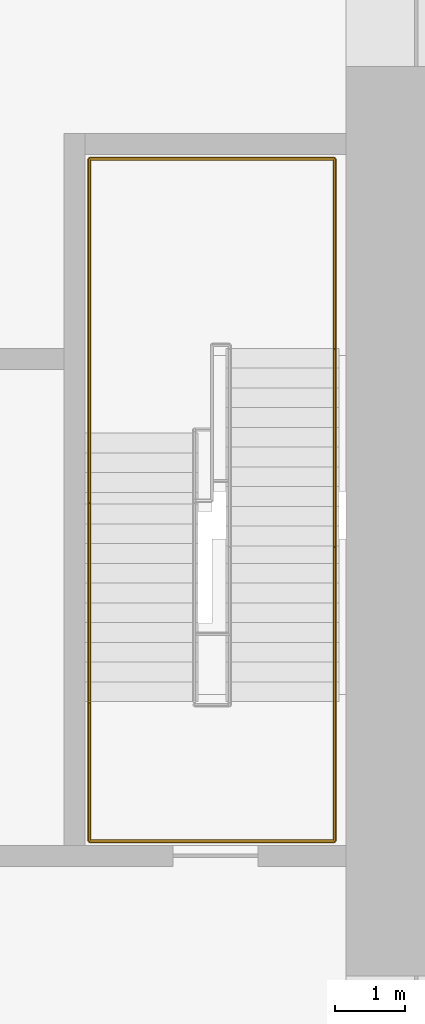
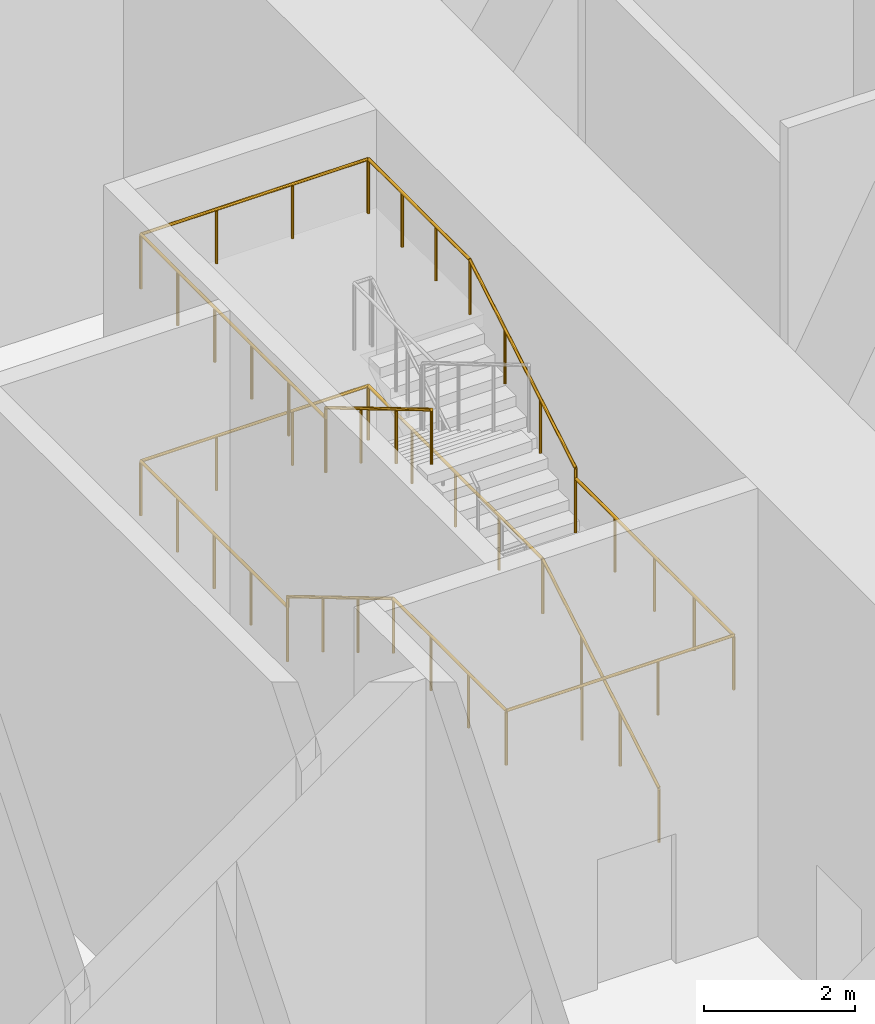
# One storey, part 16 of 16: 1 railing.
"""IFC4 building model written with IfcOpenShell, lengths in metres."""

from ifc_helpers import new_model, si_unit, direction, frame, origin, origin_2d, place, context, subcontext, project, spatial, circle, extrude, material, type_object, element, save


model = new_model("IFC4")

# Units and contexts
model_context = context("Model", 3, precision=1e-05, world=origin(), true_north=direction((0.0, 1.0)))
body_context = subcontext(model_context, "Body", "Model", "MODEL_VIEW")
ifc_project = project(units=[si_unit("LENGTHUNIT", "METRE"), si_unit("AREAUNIT", "SQUARE_METRE"), si_unit("VOLUMEUNIT", "CUBIC_METRE"), si_unit("PLANEANGLEUNIT", "RADIAN"), si_unit("MASSUNIT", "GRAM", prefix="KILO")], contexts=[model_context])

# Site, building, storey
site_placement = place(None, origin())
site = spatial("IfcSite", under=ifc_project, at=site_placement, CompositionType="ELEMENT")
building_placement = place(site_placement, origin())
building = spatial("IfcBuilding", under=site, at=building_placement, Name="Khuree Lantern Residences", CompositionType="ELEMENT")
storey_placement = place(building_placement, frame((0.0, 0.0, 192.0)))
storey = spatial("IfcBuildingStorey", under=building, at=storey_placement, Name="L48", CompositionType="ELEMENT", Elevation=192.0)

# Railing
ifc_material = material(Name="Steel S355", Category="steel")
railing_type = type_object("IfcRailingType", Name="STAIR HANDRAIL H1 900", PredefinedType="HANDRAIL", material=ifc_material)
railing_placement = place(storey_placement, frame((14.340087890625, -2.860107421875, 0.166748046875)))
element("IfcRailing", 1, at=railing_placement, inside=storey, type_object=railing_type, Name="Stair ST2 handrail", PredefinedType="HANDRAIL", context=body_context, shape_type="SweptSolid", body=[
    extrude(circle(Radius=0.02392578125, at=origin_2d()), frame((0.0, 0.0, 0.8759765625), z_axis=(0.0, 0.859308565015, 0.511457515432), x_axis=(-1.0, 0.0, 0.0)), (0.0, 0.0, 1.0), 3.58447265625),
    extrude(circle(Radius=0.02392578125, at=origin_2d()), frame((0.0, 3.080078125, 2.708984375), z_axis=(0.0, 1.0, 0.0), x_axis=(-1.0, 0.0, 0.0)), (0.0, 0.0, 1.0), 4.6201171875),
    extrude(circle(Radius=0.02392578125, at=origin_2d()), frame((0.0, 7.7001953125, 2.708984375), z_axis=(-1.0, 0.0, 0.0), x_axis=(0.0, -1.0, 0.0)), (0.0, 0.0, 1.0), 3.47998046875),
    extrude(circle(Radius=0.02392578125, at=origin_2d()), frame((-3.47998046875, 7.7001953125, 2.708984375), z_axis=(0.0, -1.0, 0.0), x_axis=(1.0, 0.0, 0.0)), (0.0, 0.0, 1.0), 3.89013671875),
    extrude(circle(Radius=0.02392578125, at=origin_2d()), frame((-3.47998046875, 3.81005859375, 2.708984375), z_axis=(0.0, 0.0, 1.0), x_axis=(1.0, 0.0, 0.0)), (0.0, 0.0, 1.0), 0.166748046875),
    extrude(circle(Radius=0.02392578125, at=origin_2d()), frame((-3.47998046875, 3.81005859375, 2.8759765625), z_axis=(0.0, -0.859318757487, 0.511440390497), x_axis=(1.0, 0.0, 0.0)), (0.0, 0.0, 1.0), 3.258544921875),
    extrude(circle(Radius=0.02392578125, at=origin_2d()), frame((-3.47998046875, 1.010009765625, 4.54248046875), z_axis=(0.0, -1.0, 0.0), x_axis=(1.0, 0.0, 0.0)), (0.0, 0.0, 1.0), 2.989990234375),
    extrude(circle(Radius=0.02392578125, at=origin_2d()), frame((-3.47998046875, -1.97998046875, 4.54248046875), z_axis=(1.0, 0.0, 0.0), x_axis=(0.0, 1.0, 0.0)), (0.0, 0.0, 1.0), 3.47998046875),
    extrude(circle(Radius=0.02392578125, at=origin_2d()), frame((0.0, -1.97998046875, 4.54248046875), z_axis=(0.0, 1.0, 0.0), x_axis=(-1.0, 0.0, 0.0)), (0.0, 0.0, 1.0), 4.190185546875),
    extrude(circle(Radius=0.02392578125, at=origin_2d()), frame((0.0, 2.210205078125, 4.54248046875), z_axis=(0.0, 0.0, 1.0), x_axis=(1.0, 0.0, 0.0)), (0.0, 0.0, 1.0), 0.166748046875),
    extrude(circle(Radius=0.02392578125, at=origin_2d()), frame((0.0, 2.210205078125, 4.708984375), z_axis=(0.0, 0.859266224305, 0.511528646088), x_axis=(-1.0, 0.0, 0.0)), (0.0, 0.0, 1.0), 3.25830078125),
    extrude(circle(Radius=0.02392578125, at=origin_2d()), frame((0.0, 5.010009765625, 6.3759765625), z_axis=(0.0, 1.0, 0.0), x_axis=(-1.0, 0.0, 0.0)), (0.0, 0.0, 1.0), 2.690185546875),
    extrude(circle(Radius=0.02392578125, at=origin_2d()), frame((0.0, 7.7001953125, 6.3759765625), z_axis=(-1.0, 0.0, 0.0), x_axis=(0.0, -1.0, 0.0)), (0.0, 0.0, 1.0), 3.47998046875),
    extrude(circle(Radius=0.02392578125, at=origin_2d()), frame((-3.47998046875, 7.7001953125, 6.3759765625), z_axis=(0.0, -1.0, 0.0), x_axis=(1.0, 0.0, 0.0)), (0.0, 0.0, 1.0), 4.900146484375),
    extrude(circle(Radius=0.02392578125, at=origin_2d()), frame((-3.47998046875, 2.800048828125, 6.3759765625), z_axis=(0.0, 0.0, 1.0), x_axis=(1.0, 0.0, 0.0)), (0.0, 0.0, 1.0), 0.16650390625),
    extrude(circle(Radius=0.02392578125, at=origin_2d()), frame((-3.47998046875, 2.800048828125, 6.54248046875), z_axis=(0.0, -0.859285828005, 0.511495714342), x_axis=(1.0, 0.0, 0.0)), (0.0, 0.0, 1.0), 3.258544921875),
    extrude(circle(Radius=0.02099609375, at=origin_2d()), origin(), (0.0, 0.0, 1.0), 0.851806640625),
    extrude(circle(Radius=0.02099609375, at=origin_2d()), frame((0.0, 1.026611328125, 0.611083984375)), (0.0, 0.0, 1.0), 0.851806640625),
    extrude(circle(Radius=0.02099609375, at=origin_2d()), frame((0.0, 2.053466796875, 1.22216796875)), (0.0, 0.0, 1.0), 0.851806640625),
    extrude(circle(Radius=0.02099609375, at=origin_2d()), frame((0.0, 3.080078125, 1.833251953125)), (0.0, 0.0, 1.0), 0.851806640625),
    extrude(circle(Radius=0.02099609375, at=origin_2d()), frame((0.0, 4.235107421875, 1.833251953125)), (0.0, 0.0, 1.0), 0.851806640625),
    extrude(circle(Radius=0.02099609375, at=origin_2d()), frame((0.0, 5.39013671875, 1.833251953125)), (0.0, 0.0, 1.0), 0.851806640625),
    extrude(circle(Radius=0.02099609375, at=origin_2d()), frame((0.0, 6.545166015625, 1.833251953125)), (0.0, 0.0, 1.0), 0.851806640625),
    extrude(circle(Radius=0.02099609375, at=origin_2d()), frame((0.0, 7.7001953125, 1.833251953125)), (0.0, 0.0, 1.0), 0.851806640625),
    extrude(circle(Radius=0.02099609375, at=origin_2d()), frame((-1.159912109375, 7.7001953125, 1.833251953125)), (0.0, 0.0, 1.0), 0.851806640625),
    extrude(circle(Radius=0.02099609375, at=origin_2d()), frame((-2.320068359375, 7.7001953125, 1.833251953125)), (0.0, 0.0, 1.0), 0.851806640625),
    extrude(circle(Radius=0.02099609375, at=origin_2d()), frame((-3.47998046875, 7.7001953125, 1.833251953125)), (0.0, 0.0, 1.0), 0.851806640625),
    extrude(circle(Radius=0.02099609375, at=origin_2d()), frame((-3.47998046875, 6.7275390625, 1.833251953125)), (0.0, 0.0, 1.0), 0.851806640625),
    extrude(circle(Radius=0.02099609375, at=origin_2d()), frame((-3.47998046875, 5.755126953125, 1.833251953125)), (0.0, 0.0, 1.0), 0.851806640625),
    extrude(circle(Radius=0.02099609375, at=origin_2d()), frame((-3.47998046875, 4.78271484375, 1.833251953125)), (0.0, 0.0, 1.0), 0.851806640625),
    extrude(circle(Radius=0.02099609375, at=origin_2d()), frame((-3.47998046875, 3.81005859375, 1.833251953125)), (0.0, 0.0, 1.0), 0.851806640625),
    extrude(circle(Radius=0.02099609375, at=origin_2d()), frame((-3.47998046875, 3.81005859375, 2.0)), (0.0, 0.0, 1.0), 0.851806640625),
    extrude(circle(Radius=0.02099609375, at=origin_2d()), frame((-3.47998046875, 2.876708984375, 2.555419921875)), (0.0, 0.0, 1.0), 0.851806640625),
    extrude(circle(Radius=0.02099609375, at=origin_2d()), frame((-3.47998046875, 1.943359375, 3.111083984375)), (0.0, 0.0, 1.0), 0.851806640625),
    extrude(circle(Radius=0.02099609375, at=origin_2d()), frame((-3.47998046875, 1.010009765625, 3.66650390625)), (0.0, 0.0, 1.0), 0.851806640625),
    extrude(circle(Radius=0.02099609375, at=origin_2d()), frame((-3.47998046875, 0.013427734375, 3.66650390625)), (0.0, 0.0, 1.0), 0.851806640625),
    extrude(circle(Radius=0.02099609375, at=origin_2d()), frame((-3.47998046875, -0.9833984375, 3.66650390625)), (0.0, 0.0, 1.0), 0.851806640625),
    extrude(circle(Radius=0.02099609375, at=origin_2d()), frame((-3.47998046875, -1.97998046875, 3.66650390625)), (0.0, 0.0, 1.0), 0.851806640625),
    extrude(circle(Radius=0.02099609375, at=origin_2d()), frame((-2.320068359375, -1.97998046875, 3.66650390625)), (0.0, 0.0, 1.0), 0.851806640625),
    extrude(circle(Radius=0.02099609375, at=origin_2d()), frame((-1.159912109375, -1.97998046875, 3.66650390625)), (0.0, 0.0, 1.0), 0.851806640625),
    extrude(circle(Radius=0.02099609375, at=origin_2d()), frame((0.0, -1.97998046875, 3.66650390625)), (0.0, 0.0, 1.0), 0.851806640625),
    extrude(circle(Radius=0.02099609375, at=origin_2d()), frame((0.0, -0.932373046875, 3.66650390625)), (0.0, 0.0, 1.0), 0.851806640625),
    extrude(circle(Radius=0.02099609375, at=origin_2d()), frame((0.0, 0.115234375, 3.66650390625)), (0.0, 0.0, 1.0), 0.851806640625),
    extrude(circle(Radius=0.02099609375, at=origin_2d()), frame((0.0, 1.16259765625, 3.66650390625)), (0.0, 0.0, 1.0), 0.851806640625),
    extrude(circle(Radius=0.02099609375, at=origin_2d()), frame((0.0, 2.210205078125, 3.66650390625)), (0.0, 0.0, 1.0), 0.851806640625),
    extrude(circle(Radius=0.02099609375, at=origin_2d()), frame((0.0, 2.210205078125, 3.833251953125)), (0.0, 0.0, 1.0), 0.851806640625),
    extrude(circle(Radius=0.02099609375, at=origin_2d()), frame((0.0, 3.1435546875, 4.388916015625)), (0.0, 0.0, 1.0), 0.851806640625),
    extrude(circle(Radius=0.02099609375, at=origin_2d()), frame((0.0, 4.07666015625, 4.9443359375)), (0.0, 0.0, 1.0), 0.851806640625),
    extrude(circle(Radius=0.02099609375, at=origin_2d()), frame((0.0, 5.010009765625, 5.5)), (0.0, 0.0, 1.0), 0.851806640625),
    extrude(circle(Radius=0.02099609375, at=origin_2d()), frame((0.0, 5.90673828125, 5.5)), (0.0, 0.0, 1.0), 0.851806640625),
    extrude(circle(Radius=0.02099609375, at=origin_2d()), frame((0.0, 6.803466796875, 5.5)), (0.0, 0.0, 1.0), 0.851806640625),
    extrude(circle(Radius=0.02099609375, at=origin_2d()), frame((0.0, 7.7001953125, 5.5)), (0.0, 0.0, 1.0), 0.851806640625),
    extrude(circle(Radius=0.02099609375, at=origin_2d()), frame((-1.159912109375, 7.7001953125, 5.5)), (0.0, 0.0, 1.0), 0.851806640625),
    extrude(circle(Radius=0.02099609375, at=origin_2d()), frame((-2.320068359375, 7.7001953125, 5.5)), (0.0, 0.0, 1.0), 0.851806640625),
    extrude(circle(Radius=0.02099609375, at=origin_2d()), frame((-3.47998046875, 7.7001953125, 5.5)), (0.0, 0.0, 1.0), 0.851806640625),
    extrude(circle(Radius=0.02099609375, at=origin_2d()), frame((-3.47998046875, 6.72021484375, 5.5)), (0.0, 0.0, 1.0), 0.851806640625),
    extrude(circle(Radius=0.02099609375, at=origin_2d()), frame((-3.47998046875, 5.740234375, 5.5)), (0.0, 0.0, 1.0), 0.851806640625),
    extrude(circle(Radius=0.02099609375, at=origin_2d()), frame((-3.47998046875, 4.760009765625, 5.5)), (0.0, 0.0, 1.0), 0.851806640625),
    extrude(circle(Radius=0.02099609375, at=origin_2d()), frame((-3.47998046875, 3.780029296875, 5.5)), (0.0, 0.0, 1.0), 0.851806640625),
    extrude(circle(Radius=0.02099609375, at=origin_2d()), frame((-3.47998046875, 2.800048828125, 5.5)), (0.0, 0.0, 1.0), 0.851806640625),
    extrude(circle(Radius=0.02099609375, at=origin_2d()), frame((-3.47998046875, 2.800048828125, 5.66650390625)), (0.0, 0.0, 1.0), 0.851806640625),
    extrude(circle(Radius=0.02099609375, at=origin_2d()), frame((-3.47998046875, 1.86669921875, 6.22216796875)), (0.0, 0.0, 1.0), 0.851806640625),
    extrude(circle(Radius=0.02099609375, at=origin_2d()), frame((-3.47998046875, 0.933349609375, 6.777587890625)), (0.0, 0.0, 1.0), 0.851806640625),
    extrude(circle(Radius=0.02099609375, at=origin_2d()), frame((-3.47998046875, 0.0, 7.333251953125)), (0.0, 0.0, 1.0), 0.851806640625),
])

save(model, "model.ifc")
